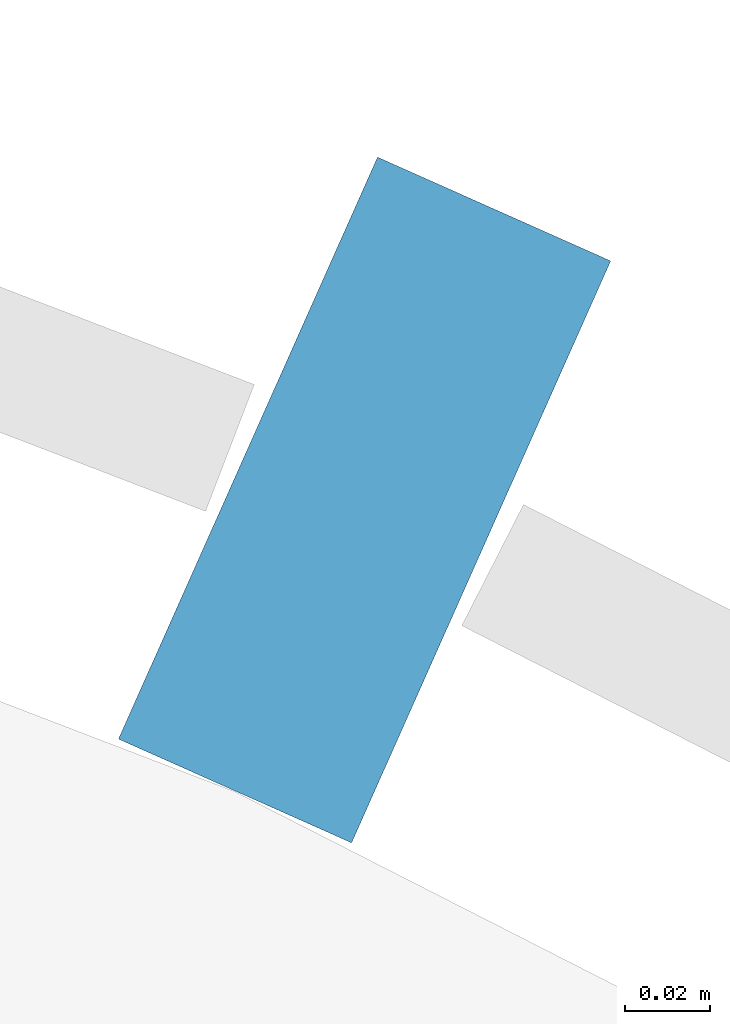
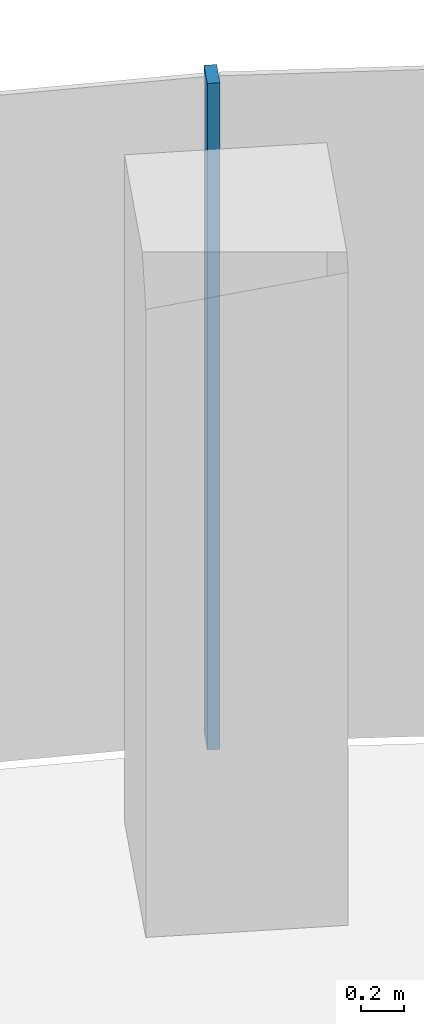
# One storey, part 9 of 17: 1 member, 1 element without a shape of its own.
"""IFC4 building model written with IfcOpenShell, lengths in metres."""

import ifcopenshell
import ifcopenshell.guid

model = None  # the IFC model being written
_history = None  # IfcOwnerHistory: only IFC2X3 demands one
_inside = {}  # id of a spatial element -> (the spatial element, [elements in it])
_under = {}  # id of a project, library or spatial element -> (it, [spatial elements below it])
_declared = {}  # id of a project -> (the project, [libraries it declares])
_typed = {}  # id of a type object -> (the type object, [elements of that type])
_made_of = {}  # id of a material, layer set ... -> (it, [elements and type objects made of it])


def new_model(schema):
    """Start an empty IFC model of exactly this schema.

    Asked for "IFC4X3", IfcOpenShell would pick the latest addendum, in which some entities
    have other attributes; the version numbers below select the first issue.
    IFC2X3 requires an IfcOwnerHistory on every rooted entity: one is made here for all.
    """
    global model, _history
    if schema == "IFC4X3":
        model = ifcopenshell.file(schema_version=(4, 3, 0, 0))
    else:
        model = ifcopenshell.file(schema=schema)
    _inside.clear()
    _under.clear()
    _declared.clear()
    _typed.clear()
    _made_of.clear()
    _history = None
    if model.schema == "IFC2X3":
        org = make("IfcOrganization", Name="unknown")
        user = make(
            "IfcPersonAndOrganization",
            ThePerson=make("IfcPerson", FamilyName="unknown"),
            TheOrganization=org,
        )
        app = make(
            "IfcApplication",
            ApplicationDeveloper=org,
            Version="unknown",
            ApplicationFullName="unknown",
            ApplicationIdentifier="unknown",
        )
        _history = make(
            "IfcOwnerHistory",
            OwningUser=user,
            OwningApplication=app,
            ChangeAction="ADDED",
            CreationDate=0,
        )
    return model


def make(cls, **values):
    """One entity of the class cls with the attributes given. An attribute that is None is left unset."""
    return model.create_entity(
        cls, **{name: value for name, value in values.items() if value is not None}
    )


def rooted(cls, **values):
    """An entity with a GlobalId (a new one), such as an element, a storey or a relation."""
    return make(cls, GlobalId=ifcopenshell.guid.new(), OwnerHistory=_history, **values)


def si_unit(unit_type, name, prefix=None):
    """IfcSIUnit, for example si_unit("LENGTHUNIT", "METRE", prefix="MILLI")."""
    return make("IfcSIUnit", UnitType=unit_type, Prefix=prefix, Name=name)


def assignment(units):
    """IfcUnitAssignment: the units of a project."""
    return None if units is None else make("IfcUnitAssignment", Units=units)


def point(xyz):
    """IfcCartesianPoint."""
    return None if xyz is None else make("IfcCartesianPoint", Coordinates=xyz)


def direction(xyz):
    """IfcDirection."""
    return None if xyz is None else make("IfcDirection", DirectionRatios=xyz)


def frame(location, z_axis=None, x_axis=None):
    """IfcAxis2Placement3D, a coordinate frame: its origin and axes. An axis left out is left unset."""
    return make(
        "IfcAxis2Placement3D",
        Location=point(location),
        Axis=direction(z_axis),
        RefDirection=direction(x_axis),
    )


def frame_2d(location, x_axis=None):
    """IfcAxis2Placement2D, a coordinate frame in the plane: its origin and x axis."""
    return make(
        "IfcAxis2Placement2D", Location=point(location), RefDirection=direction(x_axis)
    )


def origin():
    """The frame at (0, 0, 0) with its axes left unset."""
    return frame((0.0, 0.0, 0.0))


def origin_2d():
    """The frame at (0, 0) in the plane with its x axis left unset."""
    return frame_2d((0.0, 0.0))


def place(relative_to, where):
    """IfcLocalPlacement: puts the frame where relative to a parent placement (None: the world)."""
    return make(
        "IfcLocalPlacement", PlacementRelTo=relative_to, RelativePlacement=where
    )


def context(
    kind, dimensions, precision=None, world=None, true_north=None, identifier=None
):
    """IfcGeometricRepresentationContext, for example the 3D "Model" context."""
    return make(
        "IfcGeometricRepresentationContext",
        ContextIdentifier=identifier,
        ContextType=kind,
        CoordinateSpaceDimension=dimensions,
        Precision=precision,
        WorldCoordinateSystem=world,
        TrueNorth=true_north,
    )


def subcontext(parent, identifier, kind, view, scale=None):
    """IfcGeometricRepresentationSubContext, for example "Body" below "Model"."""
    return make(
        "IfcGeometricRepresentationSubContext",
        ContextIdentifier=identifier,
        ContextType=kind,
        ParentContext=parent,
        TargetScale=scale,
        TargetView=view,
    )


def project(units=None, contexts=None):
    """IfcProject with its units and contexts."""
    return rooted(
        "IfcProject",
        Name="project",
        RepresentationContexts=contexts,
        UnitsInContext=assignment(units),
    )


def spatial(cls, under=None, at=None, **own):
    """A site, building, storey or space (cls), placed at a placement, below another one or the project."""
    s = rooted(cls, ObjectPlacement=at, **own)
    if under is not None:
        _under.setdefault(under.id(), (under, []))[1].append(s)
    return s


def profile(cls, at=None, kind="AREA", **sizes):
    """A parametric profile (cls). Its sizes go by their IFC names, for example OverallWidth=200.0."""
    return make(cls, ProfileType=kind, Position=at, **sizes)


def rectangle(**sizes):
    """IfcRectangleProfileDef."""
    return profile("IfcRectangleProfileDef", **sizes)


def extrude(swept, where, along, depth):
    """IfcExtrudedAreaSolid: the profile swept, set in the frame where, extruded along a direction by depth."""
    return make(
        "IfcExtrudedAreaSolid",
        SweptArea=swept,
        Position=where,
        ExtrudedDirection=direction(along),
        Depth=depth,
    )


def shape(context_of_items, identifier, shape_type, items):
    """IfcShapeRepresentation: the items that make up one representation, for example the "Body"."""
    return make(
        "IfcShapeRepresentation",
        ContextOfItems=context_of_items,
        RepresentationIdentifier=identifier,
        RepresentationType=shape_type,
        Items=items,
    )


def material(Name=None, Category=None):
    """IfcMaterial."""
    return make("IfcMaterial", Name=Name, Category=Category)


def layer(
    of_material, thickness, ventilated=None, Name=None, Category=None, Priority=None
):
    """IfcMaterialLayer: one layer of a wall or slab, of a material (None: an air gap)."""
    return make(
        "IfcMaterialLayer",
        Material=of_material,
        LayerThickness=thickness,
        IsVentilated=ventilated,
        Name=Name,
        Category=Category,
        Priority=Priority,
    )


def layer_set(layers, Name=None):
    """IfcMaterialLayerSet."""
    return make("IfcMaterialLayerSet", MaterialLayers=layers, LayerSetName=Name)


def material_profile(
    of_material, cross_section, Name=None, Category=None, Priority=None
):
    """IfcMaterialProfile: a cross section and its material."""
    return make(
        "IfcMaterialProfile",
        Name=Name,
        Material=of_material,
        Profile=cross_section,
        Priority=Priority,
        Category=Category,
    )


def profile_set(profiles, Name=None, composite=None):
    """IfcMaterialProfileSet."""
    return make(
        "IfcMaterialProfileSet",
        Name=Name,
        MaterialProfiles=profiles,
        CompositeProfile=composite,
    )


def made_of(thing, what):
    """Note that an element or type object is made of a material, layer set ...; save() writes the relation."""
    if what is not None:
        _made_of.setdefault(what.id(), (what, []))[1].append(thing)
    return thing


def type_object(cls, material=None, **own):
    """A type object (cls), such as IfcWallType, which elements share."""
    return made_of(rooted(cls, **own), material)


def element(
    cls,
    number,
    at=None,
    inside=None,
    cuts=None,
    type_object=None,
    material=None,
    context=None,
    identifier="Body",
    shape_type=None,
    held_by="IfcProductDefinitionShape",
    body=None,
    shapes=None,
    **own,
):
    """One element of the class cls, such as IfcWall. Its Tag is "e" and its number.

    at: its placement. inside: the storey or other place that contains it. cuts: it is an
    opening in that element (IfcRelVoidsElement). A single representation is given by context,
    identifier, shape_type and body (its items); several are given by shapes. held_by: the class
    of the entity that holds the representations. save() writes the other relations.
    """
    e = rooted(cls, Tag="e%d" % number, ObjectPlacement=at, **own)
    if body is not None:
        shapes = [shape(context, identifier, shape_type, body)]
    if shapes is not None:
        e.Representation = make(held_by, Representations=shapes)
    if inside is not None:
        _inside.setdefault(inside.id(), (inside, []))[1].append(e)
    if cuts is not None:
        rooted(
            "IfcRelVoidsElement", RelatingBuildingElement=cuts, RelatedOpeningElement=e
        )
    if type_object is not None:
        _typed.setdefault(type_object.id(), (type_object, []))[1].append(e)
    return made_of(e, material)


def aggregate(whole, parts):
    """IfcRelAggregates: a whole, such as a stair, and the parts it consists of."""
    return rooted("IfcRelAggregates", RelatingObject=whole, RelatedObjects=parts)


def save(model, path):
    """Write the relations noted so far, then the file.

    IfcRelAggregates (storeys below a building ...), IfcRelContainedInSpatialStructure (elements
    in a storey), IfcRelDefinesByType, IfcRelAssociatesMaterial and IfcRelDeclares: one each for
    every whole, place, type object, material and project.
    """
    for whole, parts in _under.values():
        aggregate(whole, parts)
    for where, things in _inside.values():
        rooted(
            "IfcRelContainedInSpatialStructure",
            RelatedElements=things,
            RelatingStructure=where,
        )
    for kind, things in _typed.values():
        rooted("IfcRelDefinesByType", RelatedObjects=things, RelatingType=kind)
    for what, things in _made_of.values():
        rooted("IfcRelAssociatesMaterial", RelatedObjects=things, RelatingMaterial=what)
    for by, libraries in _declared.values():
        rooted("IfcRelDeclares", RelatingContext=by, RelatedDefinitions=libraries)
    model.write(path)


model = new_model("IFC4")

# Units and contexts
model_context = context("Model", 3, precision=1e-05, world=origin(), true_north=direction((0.0, 1.0)))
body_context = subcontext(model_context, "Body", "Model", "MODEL_VIEW")
ifc_project = project(units=[si_unit("LENGTHUNIT", "METRE"), si_unit("AREAUNIT", "SQUARE_METRE"), si_unit("VOLUMEUNIT", "CUBIC_METRE"), si_unit("PLANEANGLEUNIT", "RADIAN"), si_unit("MASSUNIT", "GRAM", prefix="KILO")], contexts=[model_context])

# Site, building, storey
site_placement = place(None, origin())
site = spatial("IfcSite", under=ifc_project, at=site_placement, CompositionType="ELEMENT")
building_placement = place(site_placement, origin())
building = spatial("IfcBuilding", under=site, at=building_placement, Name="Stone Belt Terrace Tower", CompositionType="ELEMENT")
storey_placement = place(building_placement, frame((0.0, 0.0, 231.39990234375)))
storey = spatial("IfcBuildingStorey", under=building, at=storey_placement, Name="L56", CompositionType="ELEMENT", Elevation=231.39990234375)

# Curtain wall, member
ifc_material = material(Name="Aluminium 6063-T6 anodised frame", Category="aluminium")
ifc_layer = layer(ifc_material, 0.14990234375)
ifc_layer_set = layer_set([ifc_layer], Name="CW-A unitised convex-face curtain wall")
curtain_wall_type = type_object("IfcCurtainWallType", Name="CW-A unitised convex-face curtain wall", PredefinedType="NOTDEFINED", material=ifc_layer_set)
curtain_wall_placement = place(storey_placement, origin())
curtain_wall = element("IfcCurtainWall", 1, at=curtain_wall_placement, inside=storey, type_object=curtain_wall_type, Name="CW-A convex face L56", PredefinedType="NOTDEFINED")
ifc_material_profile = material_profile(ifc_material, rectangle(XDim=0.14990234375, YDim=0.06005859375, at=origin_2d()), Name="Aluminium 6063-T6 60x150")
ifc_profile_set = profile_set([ifc_material_profile], Name="Aluminium 6063-T6 anodised frame")
member_type = type_object("IfcMemberType", Name="CW-A mullion 60 x 150", PredefinedType="MULLION", material=ifc_profile_set)
member_placement = place(storey_placement, frame((27.07861328125, 60.8193359375, 0.0), z_axis=(0.0, 0.0, 1.0), x_axis=(-0.406736643076, -0.913545457643, 0.0)))
member = element("IfcMember", 2, at=member_placement, type_object=member_type, Name="CW-A mullion 5", PredefinedType="MULLION", context=body_context, shape_type="SweptSolid", body=[
    extrude(rectangle(XDim=0.14990234375, YDim=0.06005859375, at=origin_2d()), origin(), (0.0, 0.0, 1.0), 3.800048828125),
])
aggregate(curtain_wall, [member])

save(model, "model.ifc")
